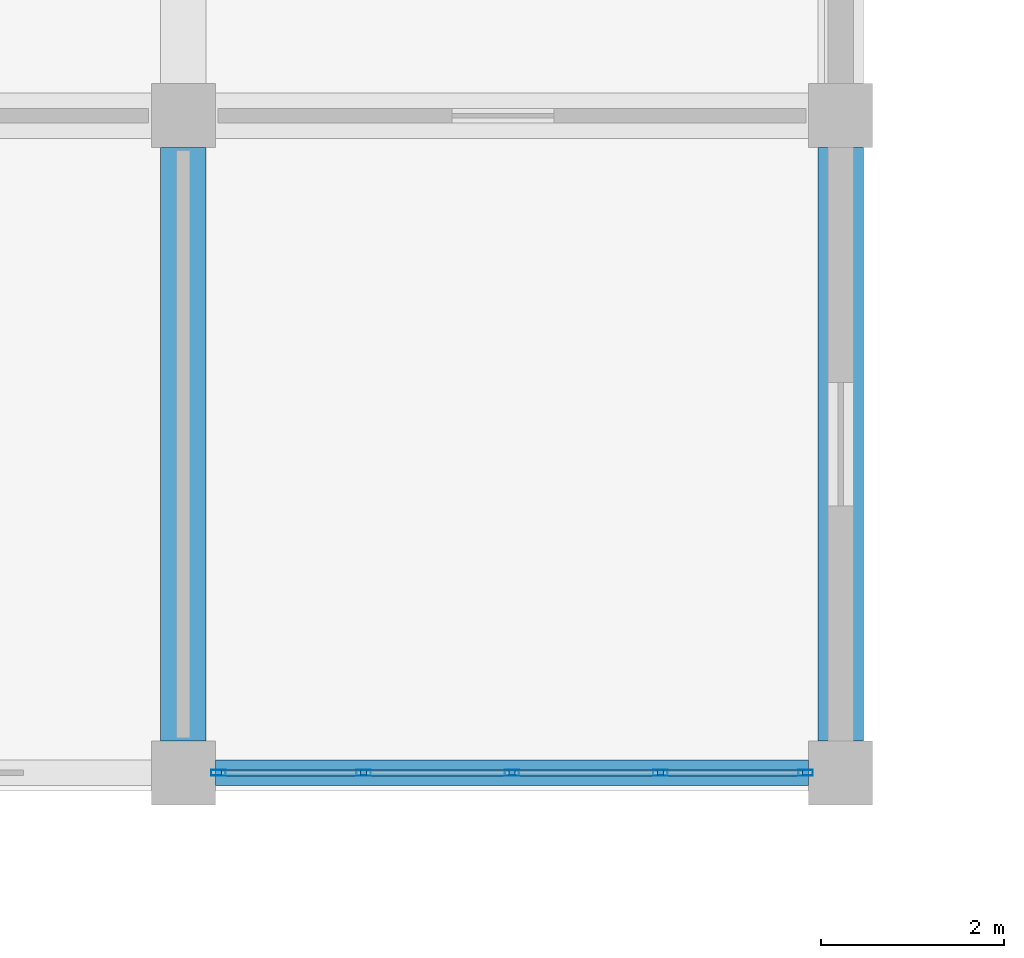
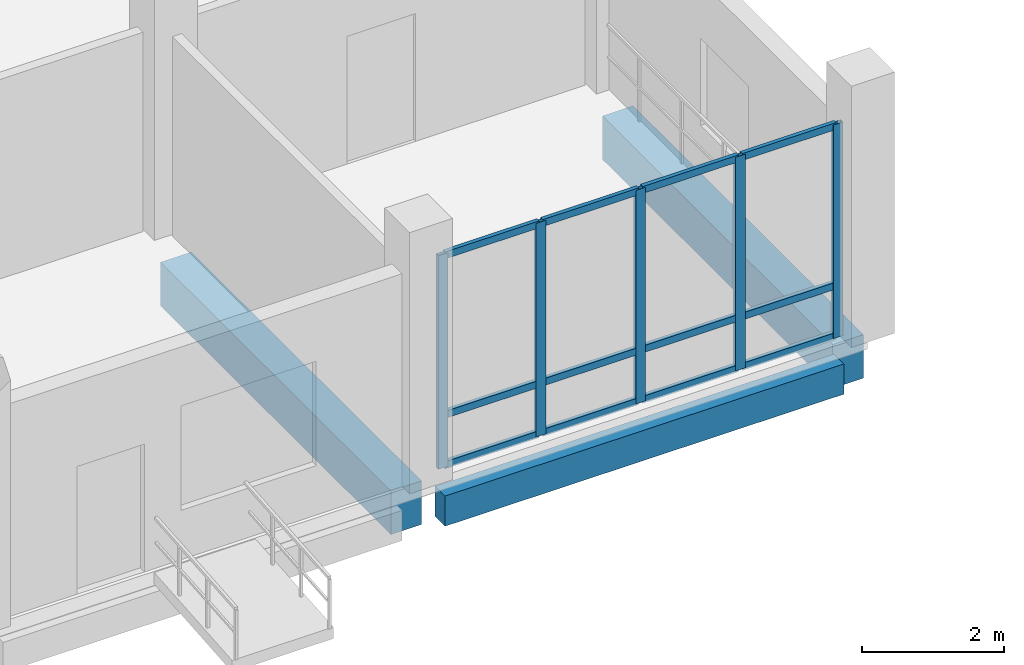
# One storey, part 25 of 139: 17 members, 3 beams, 1 element without a shape of its own.
"""IFC4 building model written with IfcOpenShell, lengths in metres."""

from ifc_helpers import new_model, si_unit, direction, frame, origin, origin_2d, place, context, subcontext, project, spatial, rectangle, hollow_rectangle, extrude, material, material_profile, profile_set, type_object, element, aggregate, save


model = new_model("IFC4")

# Units and contexts
model_context = context("Model", 3, precision=1e-05, world=origin(), true_north=direction((0.0, 1.0)))
body_context = subcontext(model_context, "Body", "Model", "MODEL_VIEW")
ifc_project = project(units=[si_unit("LENGTHUNIT", "METRE"), si_unit("AREAUNIT", "SQUARE_METRE"), si_unit("VOLUMEUNIT", "CUBIC_METRE"), si_unit("PLANEANGLEUNIT", "RADIAN"), si_unit("MASSUNIT", "GRAM", prefix="KILO")], contexts=[model_context])

# Site, building, storey
site_placement = place(None, origin())
site = spatial("IfcSite", under=ifc_project, at=site_placement, CompositionType="ELEMENT")
building_placement = place(site_placement, origin())
building = spatial("IfcBuilding", under=site, at=building_placement, Name="Suanplinth Sawtooth Commons", CompositionType="ELEMENT")
storey_placement = place(building_placement, origin())
storey = spatial("IfcBuildingStorey", under=building, at=storey_placement, Name="L00", CompositionType="ELEMENT", Elevation=0.0)

# Beams
ifc_material_1 = material(Name="Concrete C40/50", Category="concrete")
ifc_material_profile_1 = material_profile(ifc_material_1, rectangle(XDim=0.5, YDim=0.75, at=origin_2d()), Name="RC-GDR 500x750")
ifc_profile_set_1 = profile_set([ifc_material_profile_1], Name="Concrete C40/50")
beam_type_1 = type_object("IfcBeamType", Name="B-03", PredefinedType="USERDEFINED", material=ifc_profile_set_1)
for number, where, z_axis, x_axis, name in (
    (1, (50.39990234375, 0.35009765625, -0.784912109375), (0.0, 1.0, 0.0), (-1.0, 0.0, 0.0), "BMY-L00-D-7-0"),
    (2, (57.60009765625, 0.35009765625, -0.784912109375), (0.0, 1.0, 0.0), (-1.0, 0.0, 0.0), "BMY-L00-D-8-0"),
):
    element("IfcBeam", number, at=place(storey_placement, frame(where, z_axis=z_axis, x_axis=x_axis)), inside=storey, type_object=beam_type_1, Name=name, ObjectType="GIRDER", PredefinedType="USERDEFINED", context=body_context, shape_type="SweptSolid", body=[
        extrude(rectangle(XDim=0.5, YDim=0.75, at=origin_2d()), origin(), (0.0, 0.0, 1.0), 6.5),
    ])
ifc_material_2 = material(Name="Precast concrete C40/50", Category="concrete")
ifc_material_profile_2 = material_profile(ifc_material_2, rectangle(XDim=0.280029296875, YDim=0.52001953125, at=origin_2d()), Name="PC-SP 280x520")
ifc_profile_set_2 = profile_set([ifc_material_profile_2], Name="Precast concrete C40/50")
beam_type_2 = type_object("IfcBeamType", Name="B-08", PredefinedType="SPANDREL", material=ifc_profile_set_2)
beam_placement = place(storey_placement, frame((50.75, 0.0, -0.669921875), z_axis=(1.0, 0.0, 0.0), x_axis=(0.0, 1.0, 0.0)))
element("IfcBeam", 3, at=beam_placement, inside=storey, type_object=beam_type_2, Name="BMX-L00-D-7-0", PredefinedType="SPANDREL", context=body_context, shape_type="SweptSolid", body=[
    extrude(rectangle(XDim=0.280029296875, YDim=0.52001953125, at=origin_2d()), origin(), (0.0, 0.0, 1.0), 6.5),
])

# Curtain wall, members
ifc_material_3 = material(Name="Anodized aluminium and low-E glazing", Category="aluminium")
curtain_wall_type = type_object("IfcCurtainWallType", Name="CW-04", PredefinedType="USERDEFINED", material=ifc_material_3)
curtain_wall_placement = place(storey_placement, origin())
curtain_wall = element("IfcCurtainWall", 4, at=curtain_wall_placement, inside=storey, type_object=curtain_wall_type, Name="Curtain Wall CW-L00-D-S-7", ObjectType="CURTAIN WALL", PredefinedType="USERDEFINED")
ifc_material_4 = material(Name="Anodized aluminium 6063-T6", Category="aluminium")
ifc_material_profile_3 = material_profile(ifc_material_4, hollow_rectangle(XDim=0.06494140625, YDim=0.159912109375, WallThickness=0.00390625, at=origin_2d()), Name="ALU-MUL 65x160")
ifc_profile_set_3 = profile_set([ifc_material_profile_3], Name="Anodized aluminium 6063-T6")
member_type_1 = type_object("IfcMemberType", Name="M-13", PredefinedType="MULLION", material=ifc_profile_set_3)
member_1_placement = place(storey_placement, frame((50.782470703125, 0.0, 0.0), z_axis=(0.0, 0.0, 1.0), x_axis=(0.0, 1.0, 0.0)))
member_1 = element("IfcMember", 5, at=member_1_placement, type_object=member_type_1, Name="CW-04 mullion 1", PredefinedType="MULLION", context=body_context, shape_type="SweptSolid", body=[
    extrude(hollow_rectangle(XDim=0.06494140625, YDim=0.159912109375, WallThickness=0.00390625, at=origin_2d()), origin(), (0.0, 0.0, 1.0), 3.679931640625),
])
member_2_placement = place(storey_placement, frame((52.375, 0.0, 0.0), z_axis=(0.0, 0.0, 1.0), x_axis=(0.0, 1.0, 0.0)))
member_2 = element("IfcMember", 6, at=member_2_placement, type_object=member_type_1, Name="CW-04 mullion 2", PredefinedType="MULLION", context=body_context, shape_type="SweptSolid", body=[
    extrude(hollow_rectangle(XDim=0.06494140625, YDim=0.159912109375, WallThickness=0.00390625, at=origin_2d()), origin(), (0.0, 0.0, 1.0), 3.679931640625),
])
member_3_placement = place(storey_placement, frame((54.0, 0.0, 0.0), z_axis=(0.0, 0.0, 1.0), x_axis=(0.0, 1.0, 0.0)))
member_3 = element("IfcMember", 7, at=member_3_placement, type_object=member_type_1, Name="CW-04 mullion 3", PredefinedType="MULLION", context=body_context, shape_type="SweptSolid", body=[
    extrude(hollow_rectangle(XDim=0.06494140625, YDim=0.159912109375, WallThickness=0.00390625, at=origin_2d()), origin(), (0.0, 0.0, 1.0), 3.679931640625),
])
member_4_placement = place(storey_placement, frame((55.625, 0.0, 0.0), z_axis=(0.0, 0.0, 1.0), x_axis=(0.0, 1.0, 0.0)))
member_4 = element("IfcMember", 8, at=member_4_placement, type_object=member_type_1, Name="CW-04 mullion 4", PredefinedType="MULLION", context=body_context, shape_type="SweptSolid", body=[
    extrude(hollow_rectangle(XDim=0.06494140625, YDim=0.159912109375, WallThickness=0.00390625, at=origin_2d()), origin(), (0.0, 0.0, 1.0), 3.679931640625),
])
member_5_placement = place(storey_placement, frame((57.217529296875, 0.0, 0.0), z_axis=(0.0, 0.0, 1.0), x_axis=(0.0, 1.0, 0.0)))
member_5 = element("IfcMember", 9, at=member_5_placement, type_object=member_type_1, Name="CW-04 mullion 5", PredefinedType="MULLION", context=body_context, shape_type="SweptSolid", body=[
    extrude(hollow_rectangle(XDim=0.06494140625, YDim=0.159912109375, WallThickness=0.00390625, at=origin_2d()), origin(), (0.0, 0.0, 1.0), 3.679931640625),
])
ifc_material_profile_4 = material_profile(ifc_material_4, hollow_rectangle(XDim=0.06494140625, YDim=0.1201171875, WallThickness=0.00390625, at=origin_2d()), Name="ALU-TRN 65x120")
ifc_profile_set_4 = profile_set([ifc_material_profile_4], Name="Anodized aluminium 6063-T6")
member_type_2 = type_object("IfcMemberType", Name="M-15", PredefinedType="USERDEFINED", material=ifc_profile_set_4)
member_6_placement = place(storey_placement, frame((50.81494140625, 0.0, 0.032470703125), z_axis=(1.0, 0.0, 0.0), x_axis=(0.0, 1.0, 0.0)))
member_6 = element("IfcMember", 10, at=member_6_placement, type_object=member_type_2, Name="CW-04 transom 1.1", ObjectType="TRANSOM", PredefinedType="USERDEFINED", context=body_context, shape_type="SweptSolid", body=[
    extrude(hollow_rectangle(XDim=0.06494140625, YDim=0.1201171875, WallThickness=0.00390625, at=origin_2d()), origin(), (0.0, 0.0, 1.0), 1.527587890625),
])
member_7_placement = place(storey_placement, frame((50.81494140625, 0.0, 0.89990234375), z_axis=(1.0, 0.0, 0.0), x_axis=(0.0, 1.0, 0.0)))
member_7 = element("IfcMember", 11, at=member_7_placement, type_object=member_type_2, Name="CW-04 transom 1.2", ObjectType="TRANSOM", PredefinedType="USERDEFINED", context=body_context, shape_type="SweptSolid", body=[
    extrude(hollow_rectangle(XDim=0.06494140625, YDim=0.1201171875, WallThickness=0.00390625, at=origin_2d()), origin(), (0.0, 0.0, 1.0), 1.527587890625),
])
member_8_placement = place(storey_placement, frame((50.81494140625, 0.0, 3.6474609375), z_axis=(1.0, 0.0, 0.0), x_axis=(0.0, 1.0, 0.0)))
member_8 = element("IfcMember", 12, at=member_8_placement, type_object=member_type_2, Name="CW-04 transom 1.3", ObjectType="TRANSOM", PredefinedType="USERDEFINED", context=body_context, shape_type="SweptSolid", body=[
    extrude(hollow_rectangle(XDim=0.06494140625, YDim=0.1201171875, WallThickness=0.00390625, at=origin_2d()), origin(), (0.0, 0.0, 1.0), 1.527587890625),
])
member_9_placement = place(storey_placement, frame((52.407470703125, 0.0, 0.032470703125), z_axis=(1.0, 0.0, 0.0), x_axis=(0.0, 1.0, 0.0)))
member_9 = element("IfcMember", 13, at=member_9_placement, type_object=member_type_2, Name="CW-04 transom 2.1", ObjectType="TRANSOM", PredefinedType="USERDEFINED", context=body_context, shape_type="SweptSolid", body=[
    extrude(hollow_rectangle(XDim=0.06494140625, YDim=0.1201171875, WallThickness=0.00390625, at=origin_2d()), origin(), (0.0, 0.0, 1.0), 1.56005859375),
])
member_10_placement = place(storey_placement, frame((52.407470703125, 0.0, 0.89990234375), z_axis=(1.0, 0.0, 0.0), x_axis=(0.0, 1.0, 0.0)))
member_10 = element("IfcMember", 14, at=member_10_placement, type_object=member_type_2, Name="CW-04 transom 2.2", ObjectType="TRANSOM", PredefinedType="USERDEFINED", context=body_context, shape_type="SweptSolid", body=[
    extrude(hollow_rectangle(XDim=0.06494140625, YDim=0.1201171875, WallThickness=0.00390625, at=origin_2d()), origin(), (0.0, 0.0, 1.0), 1.56005859375),
])
member_11_placement = place(storey_placement, frame((52.407470703125, 0.0, 3.6474609375), z_axis=(1.0, 0.0, 0.0), x_axis=(0.0, 1.0, 0.0)))
member_11 = element("IfcMember", 15, at=member_11_placement, type_object=member_type_2, Name="CW-04 transom 2.3", ObjectType="TRANSOM", PredefinedType="USERDEFINED", context=body_context, shape_type="SweptSolid", body=[
    extrude(hollow_rectangle(XDim=0.06494140625, YDim=0.1201171875, WallThickness=0.00390625, at=origin_2d()), origin(), (0.0, 0.0, 1.0), 1.56005859375),
])
member_12_placement = place(storey_placement, frame((54.032470703125, 0.0, 0.032470703125), z_axis=(1.0, 0.0, 0.0), x_axis=(0.0, 1.0, 0.0)))
member_12 = element("IfcMember", 16, at=member_12_placement, type_object=member_type_2, Name="CW-04 transom 3.1", ObjectType="TRANSOM", PredefinedType="USERDEFINED", context=body_context, shape_type="SweptSolid", body=[
    extrude(hollow_rectangle(XDim=0.06494140625, YDim=0.1201171875, WallThickness=0.00390625, at=origin_2d()), origin(), (0.0, 0.0, 1.0), 1.56005859375),
])
member_13_placement = place(storey_placement, frame((54.032470703125, 0.0, 0.89990234375), z_axis=(1.0, 0.0, 0.0), x_axis=(0.0, 1.0, 0.0)))
member_13 = element("IfcMember", 17, at=member_13_placement, type_object=member_type_2, Name="CW-04 transom 3.2", ObjectType="TRANSOM", PredefinedType="USERDEFINED", context=body_context, shape_type="SweptSolid", body=[
    extrude(hollow_rectangle(XDim=0.06494140625, YDim=0.1201171875, WallThickness=0.00390625, at=origin_2d()), origin(), (0.0, 0.0, 1.0), 1.56005859375),
])
member_14_placement = place(storey_placement, frame((54.032470703125, 0.0, 3.6474609375), z_axis=(1.0, 0.0, 0.0), x_axis=(0.0, 1.0, 0.0)))
member_14 = element("IfcMember", 18, at=member_14_placement, type_object=member_type_2, Name="CW-04 transom 3.3", ObjectType="TRANSOM", PredefinedType="USERDEFINED", context=body_context, shape_type="SweptSolid", body=[
    extrude(hollow_rectangle(XDim=0.06494140625, YDim=0.1201171875, WallThickness=0.00390625, at=origin_2d()), origin(), (0.0, 0.0, 1.0), 1.56005859375),
])
member_15_placement = place(storey_placement, frame((55.657470703125, 0.0, 0.032470703125), z_axis=(1.0, 0.0, 0.0), x_axis=(0.0, 1.0, 0.0)))
member_15 = element("IfcMember", 19, at=member_15_placement, type_object=member_type_2, Name="CW-04 transom 4.1", ObjectType="TRANSOM", PredefinedType="USERDEFINED", context=body_context, shape_type="SweptSolid", body=[
    extrude(hollow_rectangle(XDim=0.06494140625, YDim=0.1201171875, WallThickness=0.00390625, at=origin_2d()), origin(), (0.0, 0.0, 1.0), 1.527587890625),
])
member_16_placement = place(storey_placement, frame((55.657470703125, 0.0, 0.89990234375), z_axis=(1.0, 0.0, 0.0), x_axis=(0.0, 1.0, 0.0)))
member_16 = element("IfcMember", 20, at=member_16_placement, type_object=member_type_2, Name="CW-04 transom 4.2", ObjectType="TRANSOM", PredefinedType="USERDEFINED", context=body_context, shape_type="SweptSolid", body=[
    extrude(hollow_rectangle(XDim=0.06494140625, YDim=0.1201171875, WallThickness=0.00390625, at=origin_2d()), origin(), (0.0, 0.0, 1.0), 1.527587890625),
])
member_17_placement = place(storey_placement, frame((55.657470703125, 0.0, 3.6474609375), z_axis=(1.0, 0.0, 0.0), x_axis=(0.0, 1.0, 0.0)))
member_17 = element("IfcMember", 21, at=member_17_placement, type_object=member_type_2, Name="CW-04 transom 4.3", ObjectType="TRANSOM", PredefinedType="USERDEFINED", context=body_context, shape_type="SweptSolid", body=[
    extrude(hollow_rectangle(XDim=0.06494140625, YDim=0.1201171875, WallThickness=0.00390625, at=origin_2d()), origin(), (0.0, 0.0, 1.0), 1.527587890625),
])
aggregate(curtain_wall, [member_1, member_2, member_3, member_4, member_5, member_6, member_7, member_8, member_9, member_10, member_11, member_12, member_13, member_14, member_15, member_16, member_17])

save(model, "model.ifc")
